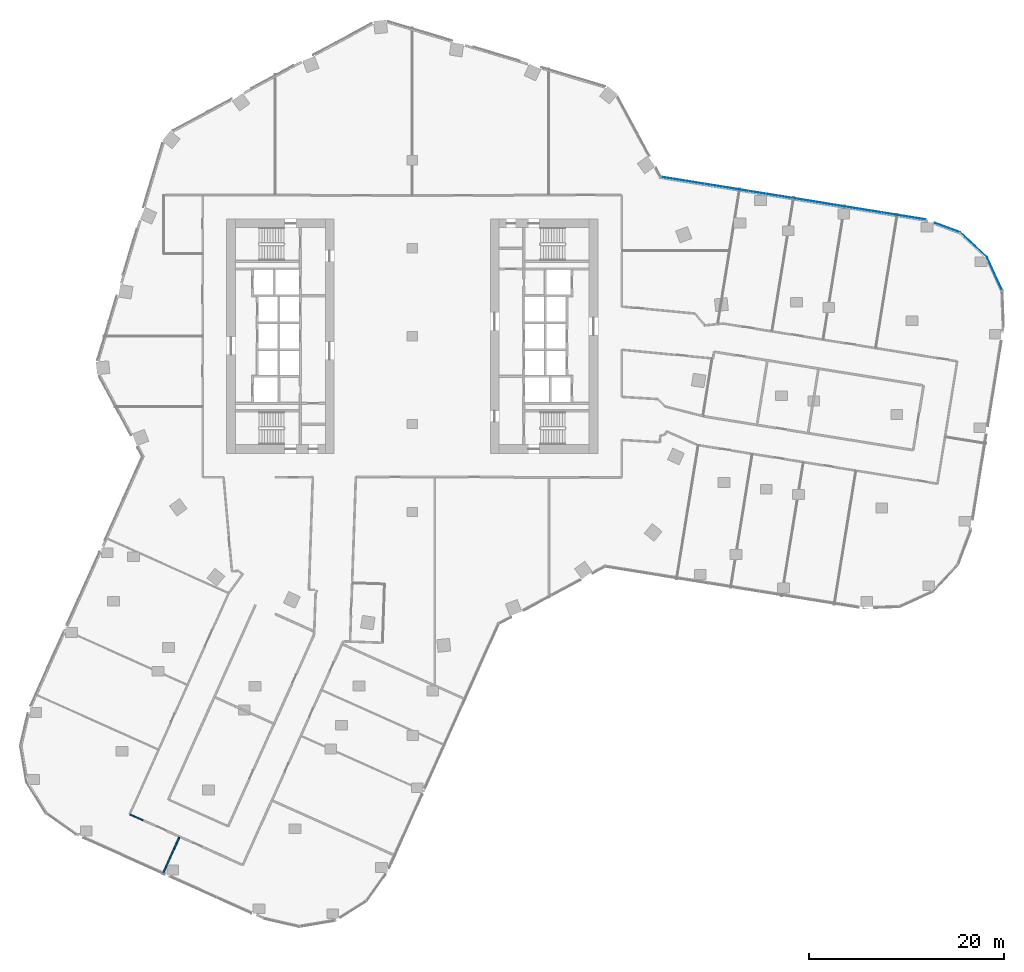
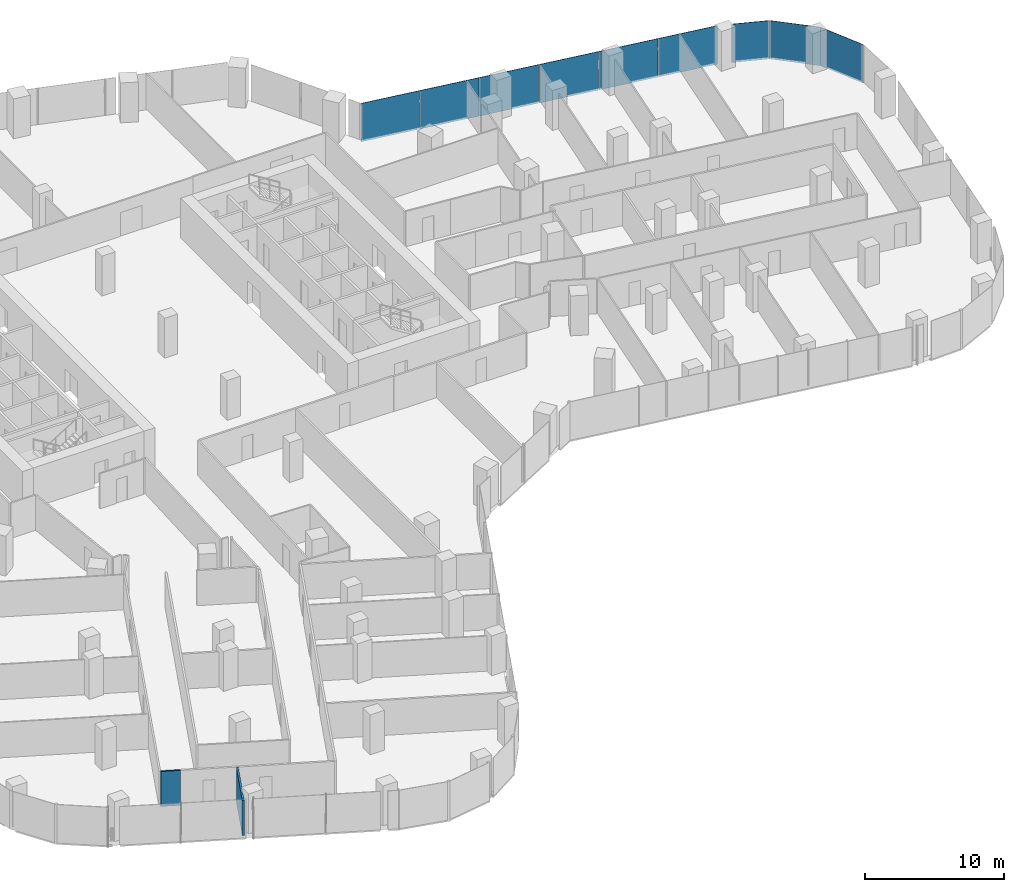
# One storey, part 24 of 34: 9 plates, 2 walls, 4 elements without a shape of their own.
"""IFC4 building model written with IfcOpenShell, lengths in metres."""

from ifc_helpers import new_model, si_unit, direction, frame, frame_2d, origin, origin_2d, place, context, subcontext, project, spatial, rectangle, extrude, material, layer, layer_set, type_object, element, aggregate, save


model = new_model("IFC4")

# Units and contexts
model_context = context("Model", 3, precision=1e-05, world=origin(), true_north=direction((0.0, 1.0)))
body_context = subcontext(model_context, "Body", "Model", "MODEL_VIEW")
ifc_project = project(units=[si_unit("LENGTHUNIT", "METRE"), si_unit("AREAUNIT", "SQUARE_METRE"), si_unit("VOLUMEUNIT", "CUBIC_METRE"), si_unit("PLANEANGLEUNIT", "RADIAN"), si_unit("MASSUNIT", "GRAM", prefix="KILO")], contexts=[model_context])

# Site, building, storey
site_placement = place(None, origin())
site = spatial("IfcSite", under=ifc_project, at=site_placement, CompositionType="ELEMENT")
building_placement = place(site_placement, origin())
building = spatial("IfcBuilding", under=site, at=building_placement, Name="Orlundy Tower", CompositionType="ELEMENT")
storey_placement = place(building_placement, frame((0.0, 0.0, 130.699951171875)))
storey = spatial("IfcBuildingStorey", under=building, at=storey_placement, Name="L33", CompositionType="ELEMENT", Elevation=130.699951171875)

# Curtain wall, plates
ifc_material_1 = material(Name="Aluminium bronze anodised", Category="aluminium")
curtain_wall_type = type_object("IfcCurtainWallType", Name="CW1 wall", PredefinedType="NOTDEFINED", material=ifc_material_1)
curtain_wall_1_placement = place(storey_placement, origin())
curtain_wall_1 = element("IfcCurtainWall", 1, at=curtain_wall_1_placement, inside=storey, type_object=curtain_wall_type, Name="CW1 run 06", PredefinedType="NOTDEFINED")
ifc_material_2 = material(Name="Tinted glass", Category="glass")
ifc_layer_1 = layer(ifc_material_2, 0.031982421875)
ifc_layer_set_1 = layer_set([ifc_layer_1], Name="CW1 glass panel 32")
plate_type = type_object("IfcPlateType", Name="CW1 glass panel 32", PredefinedType="CURTAIN_PANEL", material=ifc_layer_set_1)
plate_1_placement = place(storey_placement, frame((27.685791015625, 15.95703125, -0.27978515625), z_axis=(0.0, 0.0, 1.0), x_axis=(0.987229883184, -0.159302095871, 0.0)))
plate_1 = element("IfcPlate", 2, at=plate_1_placement, type_object=plate_type, Name="CW1 panel", PredefinedType="CURTAIN_PANEL", context=body_context, shape_type="SweptSolid", body=[
    extrude(rectangle(XDim=4.48291015625, YDim=0.031982421875, at=origin_2d()), origin(), (0.0, 0.0, 1.0), 3.3798828125),
])
plate_2_placement = place(storey_placement, frame((32.1884765625, 15.23046875, -0.27978515625), z_axis=(0.0, 0.0, 1.0), x_axis=(0.987229883184, -0.159302095871, 0.0)))
plate_2 = element("IfcPlate", 3, at=plate_2_placement, type_object=plate_type, Name="CW1 panel", PredefinedType="CURTAIN_PANEL", context=body_context, shape_type="SweptSolid", body=[
    extrude(rectangle(XDim=4.538818359375, YDim=0.031982421875, at=origin_2d()), origin(), (0.0, 0.0, 1.0), 3.3798828125),
])
plate_3_placement = place(storey_placement, frame((36.718505859375, 14.49951171875, -0.27978515625), z_axis=(0.0, 0.0, 1.0), x_axis=(0.987229883184, -0.159302095871, 0.0)))
plate_3 = element("IfcPlate", 4, at=plate_3_placement, type_object=plate_type, Name="CW1 panel", PredefinedType="CURTAIN_PANEL", context=body_context, shape_type="SweptSolid", body=[
    extrude(rectangle(XDim=4.538818359375, YDim=0.031982421875, at=origin_2d()), origin(), (0.0, 0.0, 1.0), 3.3798828125),
])
plate_4_placement = place(storey_placement, frame((41.248779296875, 13.768310546875, -0.27978515625), z_axis=(0.0, 0.0, 1.0), x_axis=(0.987229883184, -0.159302095871, 0.0)))
plate_4 = element("IfcPlate", 5, at=plate_4_placement, type_object=plate_type, Name="CW1 panel", PredefinedType="CURTAIN_PANEL", context=body_context, shape_type="SweptSolid", body=[
    extrude(rectangle(XDim=4.538818359375, YDim=0.031982421875, at=origin_2d()), origin(), (0.0, 0.0, 1.0), 3.3798828125),
])
plate_5_placement = place(storey_placement, frame((45.77880859375, 13.037353515625, -0.27978515625), z_axis=(0.0, 0.0, 1.0), x_axis=(0.987229883184, -0.159302095871, 0.0)))
plate_5 = element("IfcPlate", 6, at=plate_5_placement, type_object=plate_type, Name="CW1 panel", PredefinedType="CURTAIN_PANEL", context=body_context, shape_type="SweptSolid", body=[
    extrude(rectangle(XDim=4.538818359375, YDim=0.031982421875, at=origin_2d()), origin(), (0.0, 0.0, 1.0), 3.3798828125),
])
plate_6_placement = place(storey_placement, frame((50.31689453125, 12.30517578125, -0.27978515625), z_axis=(0.0, 0.0, 1.0), x_axis=(0.987229883184, -0.159302095871, 0.0)))
plate_6 = element("IfcPlate", 7, at=plate_6_placement, type_object=plate_type, Name="CW1 panel", PredefinedType="CURTAIN_PANEL", context=body_context, shape_type="SweptSolid", body=[
    extrude(rectangle(XDim=4.5546875, YDim=0.031982421875, at=origin_2d()), origin(), (0.0, 0.0, 1.0), 3.3798828125),
])
aggregate(curtain_wall_1, [plate_1, plate_2, plate_3, plate_4, plate_5, plate_6])

# Curtain wall, plate
curtain_wall_2_placement = place(storey_placement, origin())
curtain_wall_2 = element("IfcCurtainWall", 8, at=curtain_wall_2_placement, inside=storey, type_object=curtain_wall_type, Name="CW1 run 07", PredefinedType="NOTDEFINED")
plate_7_placement = place(storey_placement, frame((54.81201171875, 11.111083984375, -0.27978515625), z_axis=(0.0, 0.0, 1.0), x_axis=(0.937158252964, -0.348904584236, 0.0)))
plate_7 = element("IfcPlate", 9, at=plate_7_placement, type_object=plate_type, Name="CW1 panel", PredefinedType="CURTAIN_PANEL", context=body_context, shape_type="SweptSolid", body=[
    extrude(rectangle(XDim=2.767822265625, YDim=0.031982421875, at=origin_2d()), origin(), (0.0, 0.0, 1.0), 3.3798828125),
])
aggregate(curtain_wall_2, [plate_7])

curtain_wall_3_placement = place(storey_placement, origin())
curtain_wall_3 = element("IfcCurtainWall", 10, at=curtain_wall_3_placement, inside=storey, type_object=curtain_wall_type, Name="CW1 run 08", PredefinedType="NOTDEFINED")
plate_8_placement = place(storey_placement, frame((57.490234375, 9.343994140625, -0.27978515625), z_axis=(0.0, 0.0, 1.0), x_axis=(0.732399444763, -0.680875211262, 0.0)))
plate_8 = element("IfcPlate", 11, at=plate_8_placement, type_object=plate_type, Name="CW1 panel", PredefinedType="CURTAIN_PANEL", context=body_context, shape_type="SweptSolid", body=[
    extrude(rectangle(XDim=3.772216796875, YDim=0.031982421875, at=origin_2d()), origin(), (0.0, 0.0, 1.0), 3.3798828125),
])
aggregate(curtain_wall_3, [plate_8])

curtain_wall_4_placement = place(storey_placement, origin())
curtain_wall_4 = element("IfcCurtainWall", 12, at=curtain_wall_4_placement, inside=storey, type_object=curtain_wall_type, Name="CW1 run 09", PredefinedType="NOTDEFINED")
plate_9_placement = place(storey_placement, frame((59.65625, 6.3447265625, -0.27978515625), z_axis=(0.0, 0.0, 1.0), x_axis=(0.415976507053, -0.909375360113, 0.0)))
plate_9 = element("IfcPlate", 13, at=plate_9_placement, type_object=plate_type, Name="CW1 panel", PredefinedType="CURTAIN_PANEL", context=body_context, shape_type="SweptSolid", body=[
    extrude(rectangle(XDim=3.772216796875, YDim=0.031982421875, at=origin_2d()), origin(), (0.0, 0.0, 1.0), 3.3798828125),
])
aggregate(curtain_wall_4, [plate_9])

# Walls
ifc_material_3 = material(Name="Gypsum board partition, double layer")
ifc_layer_2 = layer(ifc_material_3, 0.125)
ifc_layer_set_2 = layer_set([ifc_layer_2], Name="Floor partition 125")
wall_type_1 = type_object("IfcWallType", Name="Floor partition 125", PredefinedType="PARTITIONING", material=ifc_layer_set_2)
wall_1_placement = place(storey_placement, frame((-28.867919921875, -48.97607421875, 0.0), z_axis=(0.0, 0.0, 1.0), x_axis=(0.912828249158, -0.4083437125, 0.0)))
element("IfcWall", 14, at=wall_1_placement, inside=storey, type_object=wall_type_1, Name="wall-int-L33-014", PredefinedType="PARTITIONING", context=body_context, shape_type="SweptSolid", body=[
    extrude(rectangle(XDim=1.437255859375, YDim=0.125, at=frame_2d((0.71875, 0.0))), origin(), (0.0, 0.0, 1.0), 3.080078125),
])
ifc_material_4 = material(Name="Blockwork shaft wall", Category="masonry")
ifc_layer_3 = layer(ifc_material_4, 0.14990234375)
ifc_layer_set_3 = layer_set([ifc_layer_3], Name="Floor shaft wall 150")
wall_type_2 = type_object("IfcWallType", Name="Floor shaft wall 150", PredefinedType="PARTITIONING", material=ifc_layer_set_3)
wall_2_placement = place(storey_placement, frame((-25.554931640625, -55.118896484375, 0.0), z_axis=(0.0, 0.0, 1.0), x_axis=(0.409369884525, 0.912368509783, 0.0)))
element("IfcWall", 15, at=wall_2_placement, inside=storey, type_object=wall_type_2, Name="wall-int-L33-053", PredefinedType="PARTITIONING", context=body_context, shape_type="SweptSolid", body=[
    extrude(rectangle(XDim=4.174560546875, YDim=0.14990234375, at=frame_2d((2.08740234375, 0.0))), origin(), (0.0, 0.0, 1.0), 3.080078125),
])

save(model, "model.ifc")
